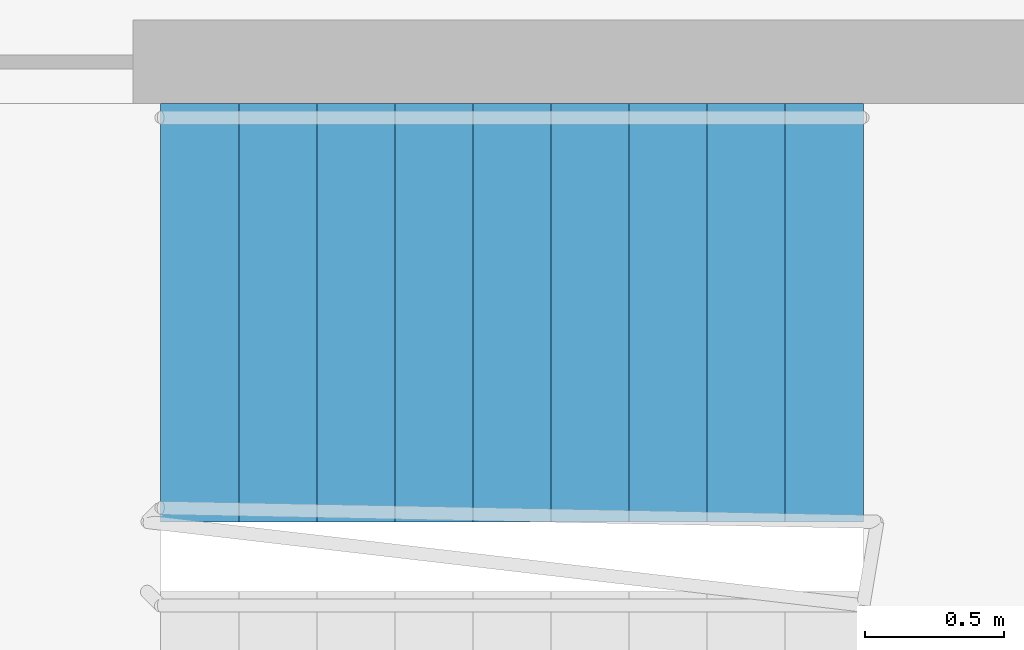
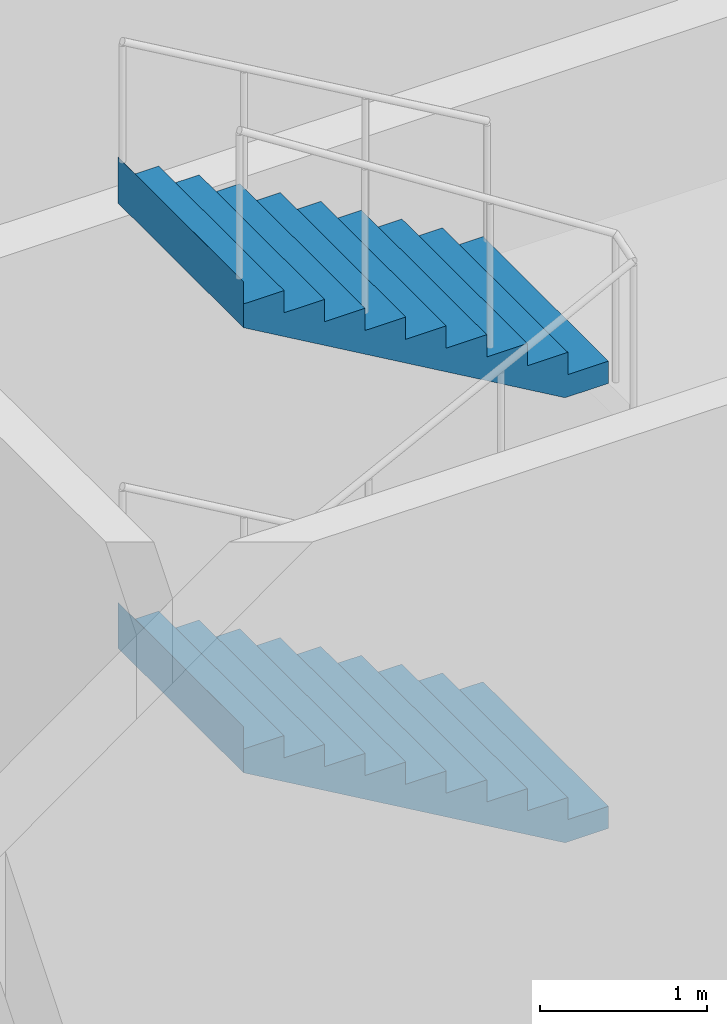
# One storey, part 21 of 24: 2 stair flights, 1 element without a shape of its own.
"""IFC4 building model written with IfcOpenShell, lengths in metres."""

from ifc_helpers import new_model, si_unit, direction, frame, origin, place, context, subcontext, project, spatial, faceted_brep, material, type_object, element, aggregate, save


model = new_model("IFC4")

# Units and contexts
model_context = context("Model", 3, precision=1e-05, world=origin(), true_north=direction((0.0, 1.0)))
body_context = subcontext(model_context, "Body", "Model", "MODEL_VIEW")
ifc_project = project(units=[si_unit("LENGTHUNIT", "METRE"), si_unit("AREAUNIT", "SQUARE_METRE"), si_unit("VOLUMEUNIT", "CUBIC_METRE"), si_unit("PLANEANGLEUNIT", "RADIAN"), si_unit("MASSUNIT", "GRAM", prefix="KILO")], contexts=[model_context])

# Site, building, storey
site_placement = place(None, origin())
site = spatial("IfcSite", under=ifc_project, at=site_placement, CompositionType="ELEMENT")
building_placement = place(site_placement, origin())
building = spatial("IfcBuilding", under=site, at=building_placement, Name="Kajstack Hotel Tower", CompositionType="ELEMENT")
storey_placement = place(building_placement, frame((0.0, 0.0, 17.0)))
storey = spatial("IfcBuildingStorey", under=building, at=storey_placement, Name="L02", CompositionType="ELEMENT", Elevation=17.0)

# Stair, stair flights
ifc_material = material(Name="Concrete C40/50", Category="concrete")
stair_type = type_object("IfcStairType", Name="Exit stair 1500", PredefinedType="HALF_TURN_STAIR", material=ifc_material)
stair_placement = place(storey_placement, origin())
stair = element("IfcStair", 1, at=stair_placement, inside=storey, type_object=stair_type, Name="L02 stair E3", PredefinedType="HALF_TURN_STAIR")
stair_flight_type = type_object("IfcStairFlightType", Name="Exit stair flight 1500", PredefinedType="STRAIGHT", material=ifc_material)
stair_flight_1_placement = place(storey_placement, frame((28.219970703125, 14.449951171875, 1.625), z_axis=(0.0, 0.0, 1.0), x_axis=(-1.0, 0.0, 0.0)))
stair_flight_1 = element("IfcStairFlight", 2, at=stair_flight_1_placement, type_object=stair_flight_type, Name="E3 flight 2", NumberOfRisers=10, NumberOfTreads=9, PredefinedType="STRAIGHT", RiserHeight=0.1625, TreadLength=0.28, context=body_context, shape_type="Brep", body=[
    faceted_brep([(0.299072265625, -0.75, 0.0), (2.5205078125, -0.75, 1.2890625), (2.5205078125, -0.75, 1.625), (2.52001953125, -0.75, 1.625), (2.52001953125, -0.75, 1.46240234375), (2.239990234375, -0.75, 1.46240234375), (2.239990234375, -0.75, 1.300048828125), (1.9599609375, -0.75, 1.300048828125), (1.9599609375, -0.75, 1.137451171875), (1.679931640625, -0.75, 1.137451171875), (1.679931640625, -0.75, 0.97509765625), (1.39990234375, -0.75, 0.97509765625), (1.39990234375, -0.75, 0.8125), (1.1201171875, -0.75, 0.8125), (1.1201171875, -0.75, 0.64990234375), (0.840087890625, -0.75, 0.64990234375), (0.840087890625, -0.75, 0.487548828125), (0.56005859375, -0.75, 0.487548828125), (0.56005859375, -0.75, 0.324951171875), (0.280029296875, -0.75, 0.324951171875), (0.280029296875, -0.75, 0.16259765625), (-0.00048828125, -0.75, 0.16259765625), (-0.00048828125, -0.75, 0.0), (-0.00048828125, 0.75, 0.0), (-0.00048828125, 0.75, 0.16259765625), (0.280029296875, 0.75, 0.16259765625), (0.280029296875, 0.75, 0.324951171875), (0.56005859375, 0.75, 0.324951171875), (0.56005859375, 0.75, 0.487548828125), (0.840087890625, 0.75, 0.487548828125), (0.840087890625, 0.75, 0.64990234375), (1.1201171875, 0.75, 0.64990234375), (1.1201171875, 0.75, 0.8125), (1.39990234375, 0.75, 0.8125), (1.39990234375, 0.75, 0.97509765625), (1.679931640625, 0.75, 0.97509765625), (1.679931640625, 0.75, 1.137451171875), (1.9599609375, 0.75, 1.137451171875), (1.9599609375, 0.75, 1.300048828125), (2.239990234375, 0.75, 1.300048828125), (2.239990234375, 0.75, 1.46240234375), (2.52001953125, 0.75, 1.46240234375), (2.52001953125, 0.75, 1.625), (2.5205078125, 0.75, 1.625), (2.5205078125, 0.75, 1.2890625), (0.299072265625, 0.75, 0.0), (-0.00048828125, -0.375, 0.16259765625), (-0.00048828125, 0.0, 0.16259765625), (-0.00048828125, 0.375, 0.16259765625), (-0.00048828125, 0.375, 0.0), (-0.00048828125, 0.0, 0.0), (-0.00048828125, -0.375, 0.0), (0.280029296875, -0.375, 0.16259765625), (0.280029296875, 0.0, 0.16259765625), (0.280029296875, 0.375, 0.16259765625), (0.280029296875, -0.375, 0.324951171875), (0.280029296875, 0.0, 0.324951171875), (0.280029296875, 0.375, 0.324951171875), (0.56005859375, -0.375, 0.324951171875), (0.56005859375, 0.0, 0.324951171875), (0.56005859375, 0.375, 0.324951171875), (0.56005859375, -0.375, 0.487548828125), (0.56005859375, 0.0, 0.487548828125), (0.56005859375, 0.375, 0.487548828125), (0.840087890625, -0.375, 0.487548828125), (0.840087890625, 0.0, 0.487548828125), (0.840087890625, 0.375, 0.487548828125), (0.840087890625, -0.375, 0.64990234375), (0.840087890625, 0.0, 0.64990234375), (0.840087890625, 0.375, 0.64990234375), (1.1201171875, -0.375, 0.64990234375), (1.1201171875, 0.0, 0.64990234375), (1.1201171875, 0.375, 0.64990234375), (1.1201171875, -0.375, 0.8125), (1.1201171875, 0.0, 0.8125), (1.1201171875, 0.375, 0.8125), (1.39990234375, -0.375, 0.8125), (1.39990234375, 0.0, 0.8125), (1.39990234375, 0.375, 0.8125), (1.39990234375, -0.375, 0.97509765625), (1.39990234375, 0.0, 0.97509765625), (1.39990234375, 0.375, 0.97509765625), (1.679931640625, -0.375, 0.97509765625), (1.679931640625, 0.0, 0.97509765625), (1.679931640625, 0.375, 0.97509765625), (1.679931640625, -0.375, 1.137451171875), (1.679931640625, 0.0, 1.137451171875), (1.679931640625, 0.375, 1.137451171875), (1.9599609375, -0.375, 1.137451171875), (1.9599609375, 0.0, 1.137451171875), (1.9599609375, 0.375, 1.137451171875), (1.9599609375, -0.375, 1.300048828125), (1.9599609375, 0.0, 1.300048828125), (1.9599609375, 0.375, 1.300048828125), (2.239990234375, -0.375, 1.300048828125), (2.239990234375, 0.0, 1.300048828125), (2.239990234375, 0.375, 1.300048828125), (2.239990234375, -0.375, 1.46240234375), (2.239990234375, 0.0, 1.46240234375), (2.239990234375, 0.375, 1.46240234375), (2.52001953125, -0.375, 1.46240234375), (2.52001953125, 0.0, 1.46240234375), (2.52001953125, 0.375, 1.46240234375), (2.52001953125, -0.375, 1.625), (2.52001953125, 0.0, 1.625), (2.52001953125, 0.375, 1.625), (2.5205078125, -0.375, 1.625), (2.5205078125, 0.0, 1.625), (2.5205078125, 0.375, 1.625), (2.5205078125, -0.375, 1.2890625), (2.5205078125, 0.0, 1.2890625), (2.5205078125, 0.375, 1.2890625), (0.299072265625, -0.375, 0.0), (0.299072265625, 0.0, 0.0), (0.299072265625, 0.375, 0.0)], [[[0, 1, 2, 3, 4, 5, 6, 7, 8, 9, 10, 11, 12, 13, 14, 15, 16, 17, 18, 19, 20, 21, 22]], [[23, 24, 25, 26, 27, 28, 29, 30, 31, 32, 33, 34, 35, 36, 37, 38, 39, 40, 41, 42, 43, 44, 45]], [[21, 46, 47, 48, 24, 23, 49, 50, 51, 22]], [[20, 52, 53, 54, 25, 24, 48, 47, 46, 21]], [[19, 55, 56, 57, 26, 25, 54, 53, 52, 20]], [[18, 58, 59, 60, 27, 26, 57, 56, 55, 19]], [[17, 61, 62, 63, 28, 27, 60, 59, 58, 18]], [[16, 64, 65, 66, 29, 28, 63, 62, 61, 17]], [[15, 67, 68, 69, 30, 29, 66, 65, 64, 16]], [[14, 70, 71, 72, 31, 30, 69, 68, 67, 15]], [[13, 73, 74, 75, 32, 31, 72, 71, 70, 14]], [[12, 76, 77, 78, 33, 32, 75, 74, 73, 13]], [[11, 79, 80, 81, 34, 33, 78, 77, 76, 12]], [[10, 82, 83, 84, 35, 34, 81, 80, 79, 11]], [[9, 85, 86, 87, 36, 35, 84, 83, 82, 10]], [[8, 88, 89, 90, 37, 36, 87, 86, 85, 9]], [[7, 91, 92, 93, 38, 37, 90, 89, 88, 8]], [[6, 94, 95, 96, 39, 38, 93, 92, 91, 7]], [[5, 97, 98, 99, 40, 39, 96, 95, 94, 6]], [[4, 100, 101, 102, 41, 40, 99, 98, 97, 5]], [[3, 103, 104, 105, 42, 41, 102, 101, 100, 4]], [[2, 106, 107, 108, 43, 42, 105, 104, 103, 3]], [[1, 109, 110, 111, 44, 43, 108, 107, 106, 2]], [[0, 112, 113, 114, 45, 44, 111, 110, 109, 1]], [[22, 51, 50, 49, 23, 45, 114, 113, 112, 0]]]),
])
stair_flight_2_placement = place(storey_placement, frame((28.219970703125, 14.449951171875, 4.875), z_axis=(0.0, 0.0, 1.0), x_axis=(-1.0, 0.0, 0.0)))
stair_flight_2 = element("IfcStairFlight", 3, at=stair_flight_2_placement, type_object=stair_flight_type, Name="E3 flight 4", NumberOfRisers=10, NumberOfTreads=9, PredefinedType="STRAIGHT", RiserHeight=0.1625, TreadLength=0.28, context=body_context, shape_type="Brep", body=[
    faceted_brep([(0.299072265625, -0.75, 0.0), (2.5205078125, -0.75, 1.2890625), (2.5205078125, -0.75, 1.625), (2.52001953125, -0.75, 1.625), (2.52001953125, -0.75, 1.46240234375), (2.239990234375, -0.75, 1.46240234375), (2.239990234375, -0.75, 1.300048828125), (1.9599609375, -0.75, 1.300048828125), (1.9599609375, -0.75, 1.137451171875), (1.679931640625, -0.75, 1.137451171875), (1.679931640625, -0.75, 0.97509765625), (1.39990234375, -0.75, 0.97509765625), (1.39990234375, -0.75, 0.8125), (1.1201171875, -0.75, 0.8125), (1.1201171875, -0.75, 0.64990234375), (0.840087890625, -0.75, 0.64990234375), (0.840087890625, -0.75, 0.487548828125), (0.56005859375, -0.75, 0.487548828125), (0.56005859375, -0.75, 0.324951171875), (0.280029296875, -0.75, 0.324951171875), (0.280029296875, -0.75, 0.16259765625), (-0.00048828125, -0.75, 0.16259765625), (-0.00048828125, -0.75, 0.0), (-0.00048828125, 0.75, 0.0), (-0.00048828125, 0.75, 0.16259765625), (0.280029296875, 0.75, 0.16259765625), (0.280029296875, 0.75, 0.324951171875), (0.56005859375, 0.75, 0.324951171875), (0.56005859375, 0.75, 0.487548828125), (0.840087890625, 0.75, 0.487548828125), (0.840087890625, 0.75, 0.64990234375), (1.1201171875, 0.75, 0.64990234375), (1.1201171875, 0.75, 0.8125), (1.39990234375, 0.75, 0.8125), (1.39990234375, 0.75, 0.97509765625), (1.679931640625, 0.75, 0.97509765625), (1.679931640625, 0.75, 1.137451171875), (1.9599609375, 0.75, 1.137451171875), (1.9599609375, 0.75, 1.300048828125), (2.239990234375, 0.75, 1.300048828125), (2.239990234375, 0.75, 1.46240234375), (2.52001953125, 0.75, 1.46240234375), (2.52001953125, 0.75, 1.625), (2.5205078125, 0.75, 1.625), (2.5205078125, 0.75, 1.2890625), (0.299072265625, 0.75, 0.0), (-0.00048828125, -0.375, 0.16259765625), (-0.00048828125, 0.0, 0.16259765625), (-0.00048828125, 0.375, 0.16259765625), (-0.00048828125, 0.375, 0.0), (-0.00048828125, 0.0, 0.0), (-0.00048828125, -0.375, 0.0), (0.280029296875, -0.375, 0.16259765625), (0.280029296875, 0.0, 0.16259765625), (0.280029296875, 0.375, 0.16259765625), (0.280029296875, -0.375, 0.324951171875), (0.280029296875, 0.0, 0.324951171875), (0.280029296875, 0.375, 0.324951171875), (0.56005859375, -0.375, 0.324951171875), (0.56005859375, 0.0, 0.324951171875), (0.56005859375, 0.375, 0.324951171875), (0.56005859375, -0.375, 0.487548828125), (0.56005859375, 0.0, 0.487548828125), (0.56005859375, 0.375, 0.487548828125), (0.840087890625, -0.375, 0.487548828125), (0.840087890625, 0.0, 0.487548828125), (0.840087890625, 0.375, 0.487548828125), (0.840087890625, -0.375, 0.64990234375), (0.840087890625, 0.0, 0.64990234375), (0.840087890625, 0.375, 0.64990234375), (1.1201171875, -0.375, 0.64990234375), (1.1201171875, 0.0, 0.64990234375), (1.1201171875, 0.375, 0.64990234375), (1.1201171875, -0.375, 0.8125), (1.1201171875, 0.0, 0.8125), (1.1201171875, 0.375, 0.8125), (1.39990234375, -0.375, 0.8125), (1.39990234375, 0.0, 0.8125), (1.39990234375, 0.375, 0.8125), (1.39990234375, -0.375, 0.97509765625), (1.39990234375, 0.0, 0.97509765625), (1.39990234375, 0.375, 0.97509765625), (1.679931640625, -0.375, 0.97509765625), (1.679931640625, 0.0, 0.97509765625), (1.679931640625, 0.375, 0.97509765625), (1.679931640625, -0.375, 1.137451171875), (1.679931640625, 0.0, 1.137451171875), (1.679931640625, 0.375, 1.137451171875), (1.9599609375, -0.375, 1.137451171875), (1.9599609375, 0.0, 1.137451171875), (1.9599609375, 0.375, 1.137451171875), (1.9599609375, -0.375, 1.300048828125), (1.9599609375, 0.0, 1.300048828125), (1.9599609375, 0.375, 1.300048828125), (2.239990234375, -0.375, 1.300048828125), (2.239990234375, 0.0, 1.300048828125), (2.239990234375, 0.375, 1.300048828125), (2.239990234375, -0.375, 1.46240234375), (2.239990234375, 0.0, 1.46240234375), (2.239990234375, 0.375, 1.46240234375), (2.52001953125, -0.375, 1.46240234375), (2.52001953125, 0.0, 1.46240234375), (2.52001953125, 0.375, 1.46240234375), (2.52001953125, -0.375, 1.625), (2.52001953125, 0.0, 1.625), (2.52001953125, 0.375, 1.625), (2.5205078125, -0.375, 1.625), (2.5205078125, 0.0, 1.625), (2.5205078125, 0.375, 1.625), (2.5205078125, -0.375, 1.2890625), (2.5205078125, 0.0, 1.2890625), (2.5205078125, 0.375, 1.2890625), (0.299072265625, -0.375, 0.0), (0.299072265625, 0.0, 0.0), (0.299072265625, 0.375, 0.0)], [[[0, 1, 2, 3, 4, 5, 6, 7, 8, 9, 10, 11, 12, 13, 14, 15, 16, 17, 18, 19, 20, 21, 22]], [[23, 24, 25, 26, 27, 28, 29, 30, 31, 32, 33, 34, 35, 36, 37, 38, 39, 40, 41, 42, 43, 44, 45]], [[21, 46, 47, 48, 24, 23, 49, 50, 51, 22]], [[20, 52, 53, 54, 25, 24, 48, 47, 46, 21]], [[19, 55, 56, 57, 26, 25, 54, 53, 52, 20]], [[18, 58, 59, 60, 27, 26, 57, 56, 55, 19]], [[17, 61, 62, 63, 28, 27, 60, 59, 58, 18]], [[16, 64, 65, 66, 29, 28, 63, 62, 61, 17]], [[15, 67, 68, 69, 30, 29, 66, 65, 64, 16]], [[14, 70, 71, 72, 31, 30, 69, 68, 67, 15]], [[13, 73, 74, 75, 32, 31, 72, 71, 70, 14]], [[12, 76, 77, 78, 33, 32, 75, 74, 73, 13]], [[11, 79, 80, 81, 34, 33, 78, 77, 76, 12]], [[10, 82, 83, 84, 35, 34, 81, 80, 79, 11]], [[9, 85, 86, 87, 36, 35, 84, 83, 82, 10]], [[8, 88, 89, 90, 37, 36, 87, 86, 85, 9]], [[7, 91, 92, 93, 38, 37, 90, 89, 88, 8]], [[6, 94, 95, 96, 39, 38, 93, 92, 91, 7]], [[5, 97, 98, 99, 40, 39, 96, 95, 94, 6]], [[4, 100, 101, 102, 41, 40, 99, 98, 97, 5]], [[3, 103, 104, 105, 42, 41, 102, 101, 100, 4]], [[2, 106, 107, 108, 43, 42, 105, 104, 103, 3]], [[1, 109, 110, 111, 44, 43, 108, 107, 106, 2]], [[0, 112, 113, 114, 45, 44, 111, 110, 109, 1]], [[22, 51, 50, 49, 23, 45, 114, 113, 112, 0]]]),
])
aggregate(stair, [stair_flight_1, stair_flight_2])

save(model, "model.ifc")
